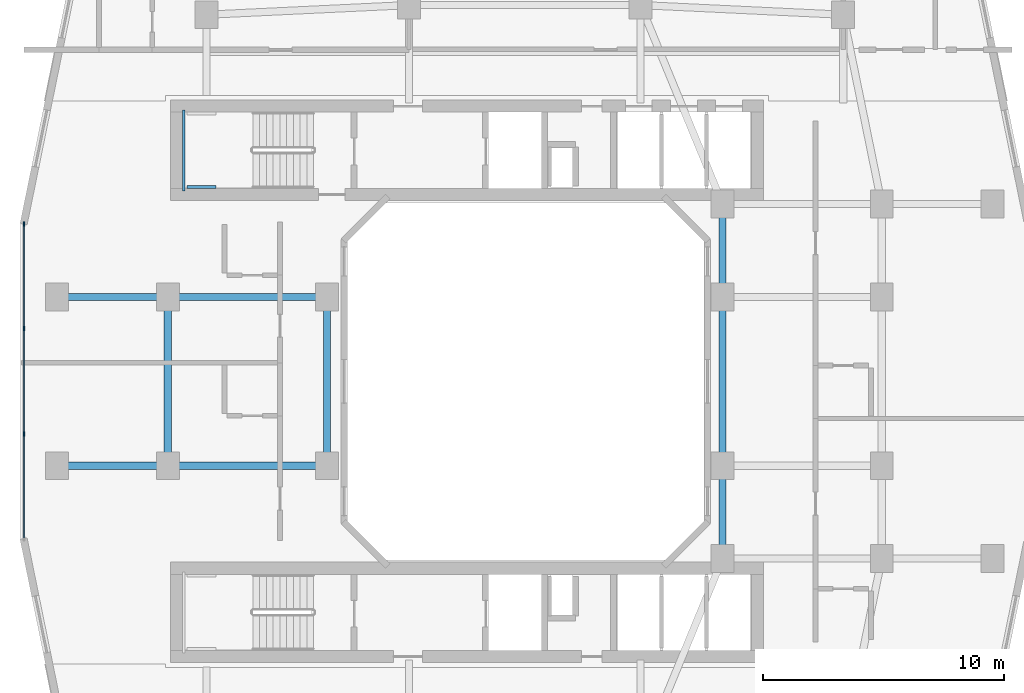
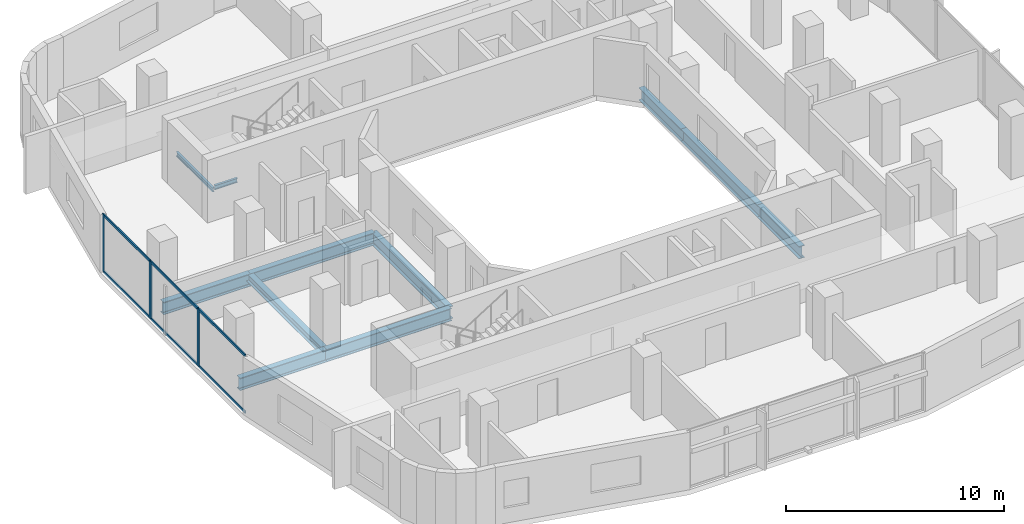
# One storey, part 3 of 26: 11 beams, 9 members, 1 element without a shape of its own.
"""IFC4 building model written with IfcOpenShell, lengths in metres."""

from ifc_helpers import new_model, si_unit, derived_unit, direction, frame, origin, origin_2d, place, context, subcontext, project, spatial, rectangle, i_section, extrude, material, layer, layer_set, material_profile, profile_set, type_object, element, aggregate, save


model = new_model("IFC4")

# Units and contexts
model_context = context("Model", 3, precision=1e-05, world=origin(), true_north=direction((0.0, 1.0)))
body_context = subcontext(model_context, "Body", "Model", "MODEL_VIEW")
ifc_project = project(units=[si_unit("LENGTHUNIT", "METRE"), si_unit("AREAUNIT", "SQUARE_METRE"), si_unit("VOLUMEUNIT", "CUBIC_METRE"), si_unit("PLANEANGLEUNIT", "RADIAN"), si_unit("MASSUNIT", "GRAM", prefix="KILO"), derived_unit("THERMALTRANSMITTANCEUNIT", [(si_unit("POWERUNIT", "WATT"), 1), (si_unit("LENGTHUNIT", "METRE"), -2), (si_unit("THERMODYNAMICTEMPERATUREUNIT", "KELVIN"), -1)])], contexts=[model_context])

# Site, building, storey
site_placement = place(None, origin())
site = spatial("IfcSite", under=ifc_project, at=site_placement, CompositionType="ELEMENT")
building_placement = place(site_placement, origin())
building = spatial("IfcBuilding", under=site, at=building_placement, Name="Kivonza Crest Hotel", CompositionType="ELEMENT")
storey_placement = place(building_placement, frame((0.0, 0.0, 62.5)))
storey = spatial("IfcBuildingStorey", under=building, at=storey_placement, Name="L16", CompositionType="ELEMENT", Elevation=62.5)

# Beams
ifc_material_1 = material(Name="Steel S355", Category="steel")
ifc_material_profile_1 = material_profile(ifc_material_1, i_section(OverallWidth=0.300048828125, OverallDepth=0.449951171875, WebThickness=0.013916015625, FlangeThickness=0.02587890625, FilletRadius=0.027099609375, at=origin_2d()), Name="HEB 450")
ifc_profile_set_1 = profile_set([ifc_material_profile_1], Name="Steel S355")
beam_type_1 = type_object("IfcBeamType", Name="BM-HEB450", PredefinedType="SPANDREL", material=ifc_profile_set_1)
beam_1_placement = place(storey_placement, frame((6.199951171875, 28.5, -0.5048828125), z_axis=(0.0, -1.0, 0.0), x_axis=(1.0, 0.0, 0.0)))
element("IfcBeam", 1, at=beam_1_placement, inside=storey, type_object=beam_type_1, Name="Tower T1 L16 perimeter spandrel W2-W1", PredefinedType="SPANDREL", context=body_context, shape_type="SweptSolid", body=[
    extrude(i_section(OverallWidth=0.300048828125, OverallDepth=0.449951171875, WebThickness=0.013916015625, FlangeThickness=0.02587890625, FilletRadius=0.027099609375, at=origin_2d()), origin(), (0.0, 0.0, 1.0), 7.0),
])
ifc_material_profile_2 = material_profile(ifc_material_1, i_section(OverallWidth=0.300048828125, OverallDepth=0.699951171875, WebThickness=0.01708984375, FlangeThickness=0.031982421875, FilletRadius=0.027099609375, at=origin_2d()), Name="HEB 700")
ifc_profile_set_2 = profile_set([ifc_material_profile_2], Name="Steel S355")
beam_type_2 = type_object("IfcBeamType", Name="BM-HEB700", PredefinedType="BEAM", material=ifc_profile_set_2)
for number, where, z_axis, x_axis, name in (
    (2, (6.199951171875, 21.5, -0.6298828125), (1.0, 0.0, 0.0), (0.0, 1.0, 0.0), "Tower T1 L16 primary girder W1-WL1"),
    (3, (6.199951171875, 28.5, -0.6298828125), (1.0, 0.0, 0.0), (0.0, 1.0, 0.0), "Tower T1 L16 primary girder W2-WL2"),
):
    element("IfcBeam", number, at=place(storey_placement, frame(where, z_axis=z_axis, x_axis=x_axis)), inside=storey, type_object=beam_type_2, Name=name, PredefinedType="BEAM", context=body_context, shape_type="SweptSolid", body=[
        extrude(i_section(OverallWidth=0.300048828125, OverallDepth=0.699951171875, WebThickness=0.01708984375, FlangeThickness=0.031982421875, FilletRadius=0.027099609375, at=origin_2d()), origin(), (0.0, 0.0, 1.0), 6.60009765625),
    ])
for number, where, z_axis, x_axis, name in (
    (4, (12.800048828125, 21.5, -0.6298828125), (0.0, 1.0, 0.0), (-1.0, 0.0, 0.0), "Tower T1 L16 primary girder WL1-WL2"),
    (5, (29.199951171875, 21.5, -0.6298828125), (0.0, 1.0, 0.0), (-1.0, 0.0, 0.0), "Tower T1 L16 primary girder WR1-WR2"),
):
    element("IfcBeam", number, at=place(storey_placement, frame(where, z_axis=z_axis, x_axis=x_axis)), inside=storey, type_object=beam_type_2, Name=name, PredefinedType="BEAM", context=body_context, shape_type="SweptSolid", body=[
        extrude(i_section(OverallWidth=0.300048828125, OverallDepth=0.699951171875, WebThickness=0.01708984375, FlangeThickness=0.031982421875, FilletRadius=0.027099609375, at=origin_2d()), origin(), (0.0, 0.0, 1.0), 7.0),
    ])
for number, where, z_axis, x_axis, name in (
    (6, (29.199951171875, 17.64990234375, -0.6298828125), (0.0, 1.0, 0.0), (-1.0, 0.0, 0.0), "Tower T1 L16 primary girder TSE-WR1"),
    (7, (29.199951171875, 28.5, -0.6298828125), (0.0, 1.0, 0.0), (-1.0, 0.0, 0.0), "Tower T1 L16 primary girder WR2-TNE"),
):
    element("IfcBeam", number, at=place(storey_placement, frame(where, z_axis=z_axis, x_axis=x_axis)), inside=storey, type_object=beam_type_2, Name=name, PredefinedType="BEAM", context=body_context, shape_type="SweptSolid", body=[
        extrude(i_section(OverallWidth=0.300048828125, OverallDepth=0.699951171875, WebThickness=0.01708984375, FlangeThickness=0.031982421875, FilletRadius=0.027099609375, at=origin_2d()), origin(), (0.0, 0.0, 1.0), 3.85009765625),
    ])
for number, where, z_axis, x_axis, name in (
    (8, (1.60009765625, 21.5, -0.6298828125), (1.0, 0.0, 0.0), (0.0, 1.0, 0.0), "Tower T1 L16 outer bay girder ZW1"),
    (9, (1.60009765625, 28.5, -0.6298828125), (1.0, 0.0, 0.0), (0.0, 1.0, 0.0), "Tower T1 L16 outer bay girder ZW2"),
):
    element("IfcBeam", number, at=place(storey_placement, frame(where, z_axis=z_axis, x_axis=x_axis)), inside=storey, type_object=beam_type_2, Name=name, PredefinedType="BEAM", context=body_context, shape_type="SweptSolid", body=[
        extrude(i_section(OverallWidth=0.300048828125, OverallDepth=0.699951171875, WebThickness=0.01708984375, FlangeThickness=0.031982421875, FilletRadius=0.027099609375, at=origin_2d()), origin(), (0.0, 0.0, 1.0), 4.599853515625),
    ])
ifc_material_profile_3 = material_profile(ifc_material_1, i_section(OverallWidth=0.1201171875, OverallDepth=0.239990234375, WebThickness=0.006103515625, FlangeThickness=0.009765625, FilletRadius=0.014892578125, at=origin_2d()), Name="IPE 240")
ifc_profile_set_3 = profile_set([ifc_material_profile_3], Name="Steel S355")
beam_type_3 = type_object("IfcBeamType", Name="BM-LLDG-240", PredefinedType="BEAM", material=ifc_profile_set_3)
beam_2_placement = place(storey_placement, frame((6.860107421875, 32.89990234375, 1.429931640625), z_axis=(0.0, 1.0, 0.0), x_axis=(-1.0, 0.0, 0.0)))
element("IfcBeam", 10, at=beam_2_placement, inside=storey, type_object=beam_type_3, Name="Stair ST-T1-N L16 West landing corbel", PredefinedType="BEAM", context=body_context, shape_type="SweptSolid", body=[
    extrude(i_section(OverallWidth=0.1201171875, OverallDepth=0.239990234375, WebThickness=0.006103515625, FlangeThickness=0.009765625, FilletRadius=0.014892578125, at=origin_2d()), origin(), (0.0, 0.0, 1.0), 3.360107421875),
])
beam_3_placement = place(storey_placement, frame((6.989990234375, 33.06005859375, 1.429931640625), z_axis=(1.0, 0.0, 0.0), x_axis=(0.0, 1.0, 0.0)))
element("IfcBeam", 11, at=beam_3_placement, inside=storey, type_object=beam_type_3, Name="Stair ST-T1-N L16 South landing corbel", PredefinedType="BEAM", context=body_context, shape_type="SweptSolid", body=[
    extrude(i_section(OverallWidth=0.1201171875, OverallDepth=0.239990234375, WebThickness=0.006103515625, FlangeThickness=0.009765625, FilletRadius=0.014892578125, at=origin_2d()), origin(), (0.0, 0.0, 1.0), 1.2099609375),
])

# Curtain wall, members
ifc_material_2 = material(Name="Anodised bronze aluminium and low-E double glazing", Category="aluminium")
ifc_layer = layer(ifc_material_2, 0.179931640625)
ifc_layer_set = layer_set([ifc_layer], Name="Anodised bronze aluminium and low-E double glazing")
curtain_wall_type = type_object("IfcCurtainWallType", Name="CW-SYS-2", PredefinedType="NOTDEFINED", material=ifc_layer_set)
curtain_wall_placement = place(storey_placement, origin())
curtain_wall = element("IfcCurtainWall", 12, at=curtain_wall_placement, inside=storey, type_object=curtain_wall_type, Name="L16 unitised curtain wall CW-T1-L16-35", PredefinedType="NOTDEFINED")
ifc_material_3 = material(Name="Anodised bronze aluminium", Category="aluminium")
ifc_material_profile_4 = material_profile(ifc_material_3, rectangle(XDim=0.06494140625, YDim=0.179931640625, at=origin_2d()), Name="CW-M 65x180")
ifc_profile_set_4 = profile_set([ifc_material_profile_4], Name="Anodised bronze aluminium")
member_type_1 = type_object("IfcMemberType", Name="CW-MUL-65x180", PredefinedType="MULLION", material=ifc_profile_set_4)
member_1_placement = place(storey_placement, frame((0.239990234375, 31.527587890625, 0.0), z_axis=(0.0, 0.0, 1.0), x_axis=(1.0, 0.0, 0.0)))
member_1 = element("IfcMember", 13, at=member_1_placement, type_object=member_type_1, Name="CW-2 mullion 1", PredefinedType="MULLION", context=body_context, shape_type="SweptSolid", body=[
    extrude(rectangle(XDim=0.06494140625, YDim=0.179931640625, at=origin_2d()), origin(), (0.0, 0.0, 1.0), 3.219970703125),
])
member_2_placement = place(storey_placement, frame((0.239990234375, 27.186767578125, 0.0), z_axis=(0.0, 0.0, 1.0), x_axis=(1.0, 0.0, 0.0)))
member_2 = element("IfcMember", 14, at=member_2_placement, type_object=member_type_1, Name="CW-2 mullion 2", PredefinedType="MULLION", context=body_context, shape_type="SweptSolid", body=[
    extrude(rectangle(XDim=0.06494140625, YDim=0.179931640625, at=origin_2d()), origin(), (0.0, 0.0, 1.0), 3.219970703125),
])
member_3_placement = place(storey_placement, frame((0.239990234375, 22.813232421875, 0.0), z_axis=(0.0, 0.0, 1.0), x_axis=(1.0, 0.0, 0.0)))
member_3 = element("IfcMember", 15, at=member_3_placement, type_object=member_type_1, Name="CW-2 mullion 3", PredefinedType="MULLION", context=body_context, shape_type="SweptSolid", body=[
    extrude(rectangle(XDim=0.06494140625, YDim=0.179931640625, at=origin_2d()), origin(), (0.0, 0.0, 1.0), 3.219970703125),
])
ifc_material_profile_5 = material_profile(ifc_material_3, rectangle(XDim=0.06494140625, YDim=0.139892578125, at=origin_2d()), Name="CW-T 65x140")
ifc_profile_set_5 = profile_set([ifc_material_profile_5], Name="Anodised bronze aluminium")
member_type_2 = type_object("IfcMemberType", Name="CW-TRN-65x140", PredefinedType="USERDEFINED", material=ifc_profile_set_5)
member_4_placement = place(storey_placement, frame((0.239990234375, 31.4951171875, 0.032470703125), z_axis=(0.0, -1.0, 0.0), x_axis=(1.0, 0.0, 0.0)))
member_4 = element("IfcMember", 16, at=member_4_placement, type_object=member_type_2, Name="CW-2 transom 1.1", ObjectType="TRANSOM", PredefinedType="USERDEFINED", context=body_context, shape_type="SweptSolid", body=[
    extrude(rectangle(XDim=0.06494140625, YDim=0.139892578125, at=origin_2d()), origin(), (0.0, 0.0, 1.0), 4.27587890625),
])
member_5_placement = place(storey_placement, frame((0.239990234375, 31.4951171875, 3.1875), z_axis=(0.0, -1.0, 0.0), x_axis=(1.0, 0.0, 0.0)))
member_5 = element("IfcMember", 17, at=member_5_placement, type_object=member_type_2, Name="CW-2 transom 1.2", ObjectType="TRANSOM", PredefinedType="USERDEFINED", context=body_context, shape_type="SweptSolid", body=[
    extrude(rectangle(XDim=0.06494140625, YDim=0.139892578125, at=origin_2d()), origin(), (0.0, 0.0, 1.0), 4.27587890625),
])
member_6_placement = place(storey_placement, frame((0.239990234375, 27.154052734375, 0.032470703125), z_axis=(0.0, -1.0, 0.0), x_axis=(1.0, 0.0, 0.0)))
member_6 = element("IfcMember", 18, at=member_6_placement, type_object=member_type_2, Name="CW-2 transom 2.1", ObjectType="TRANSOM", PredefinedType="USERDEFINED", context=body_context, shape_type="SweptSolid", body=[
    extrude(rectangle(XDim=0.06494140625, YDim=0.139892578125, at=origin_2d()), origin(), (0.0, 0.0, 1.0), 4.30810546875),
])
member_7_placement = place(storey_placement, frame((0.239990234375, 27.154052734375, 3.1875), z_axis=(0.0, -1.0, 0.0), x_axis=(1.0, 0.0, 0.0)))
member_7 = element("IfcMember", 19, at=member_7_placement, type_object=member_type_2, Name="CW-2 transom 2.2", ObjectType="TRANSOM", PredefinedType="USERDEFINED", context=body_context, shape_type="SweptSolid", body=[
    extrude(rectangle(XDim=0.06494140625, YDim=0.139892578125, at=origin_2d()), origin(), (0.0, 0.0, 1.0), 4.30810546875),
])
member_8_placement = place(storey_placement, frame((0.239990234375, 22.78076171875, 0.032470703125), z_axis=(0.0, -1.0, 0.0), x_axis=(1.0, 0.0, 0.0)))
member_8 = element("IfcMember", 20, at=member_8_placement, type_object=member_type_2, Name="CW-2 transom 3.1", ObjectType="TRANSOM", PredefinedType="USERDEFINED", context=body_context, shape_type="SweptSolid", body=[
    extrude(rectangle(XDim=0.06494140625, YDim=0.139892578125, at=origin_2d()), origin(), (0.0, 0.0, 1.0), 4.27587890625),
])
member_9_placement = place(storey_placement, frame((0.239990234375, 22.78076171875, 3.1875), z_axis=(0.0, -1.0, 0.0), x_axis=(1.0, 0.0, 0.0)))
member_9 = element("IfcMember", 21, at=member_9_placement, type_object=member_type_2, Name="CW-2 transom 3.2", ObjectType="TRANSOM", PredefinedType="USERDEFINED", context=body_context, shape_type="SweptSolid", body=[
    extrude(rectangle(XDim=0.06494140625, YDim=0.139892578125, at=origin_2d()), origin(), (0.0, 0.0, 1.0), 4.27587890625),
])
aggregate(curtain_wall, [member_1, member_2, member_3, member_4, member_5, member_6, member_7, member_8, member_9])

save(model, "model.ifc")
